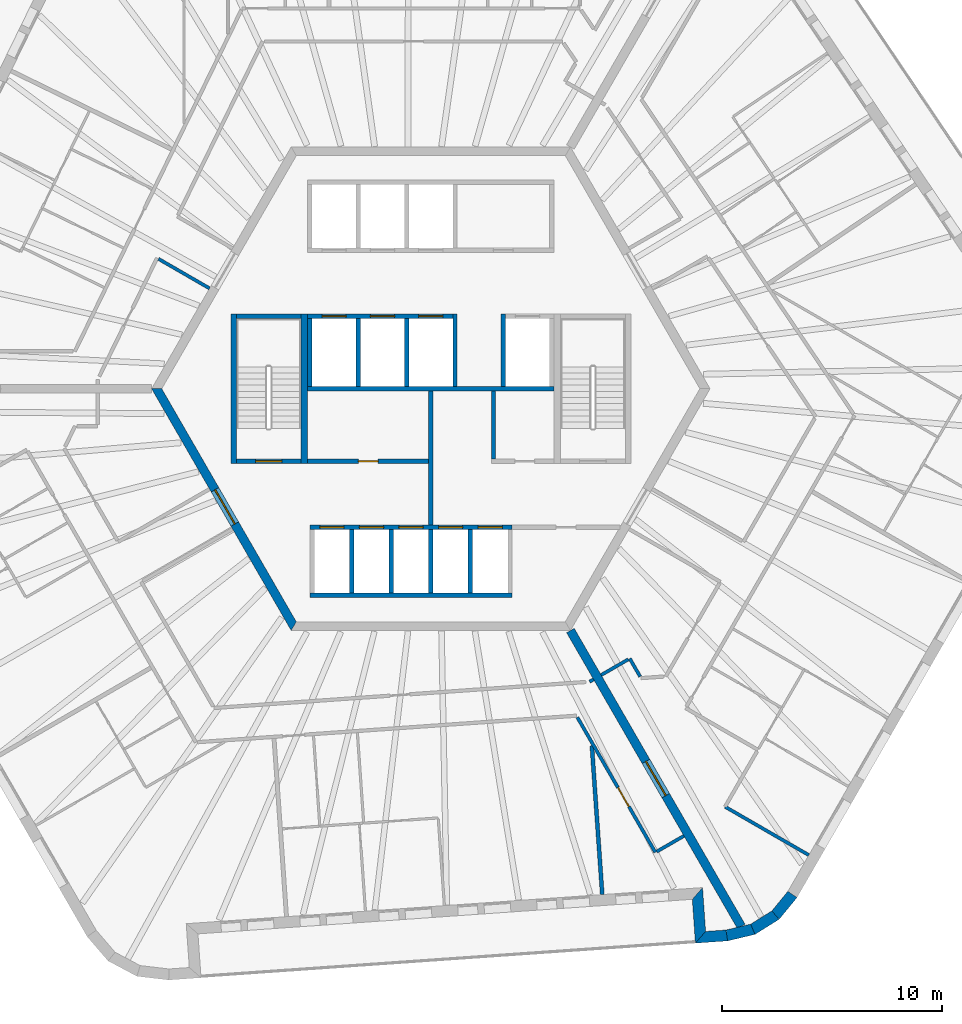
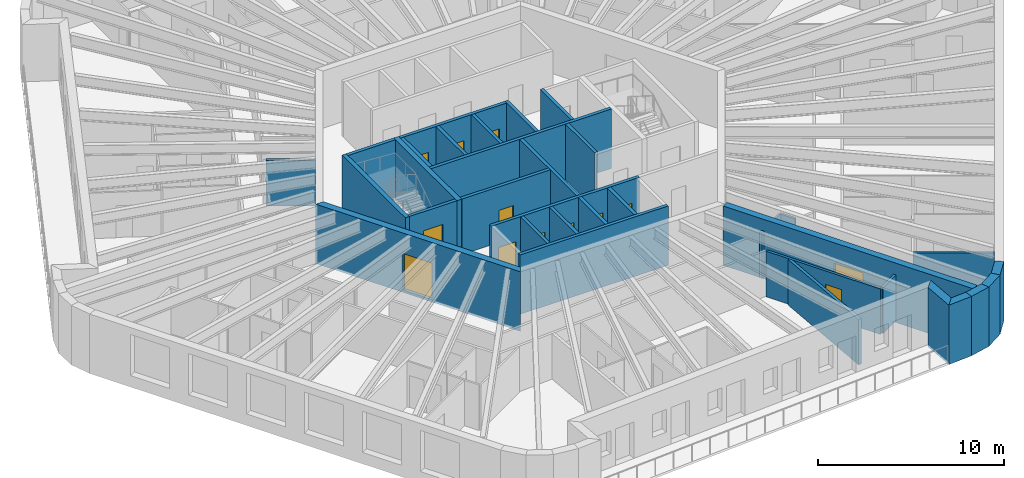
# One storey, part 5 of 12: 35 walls, 13 doors, 13 openings.
"""IFC4 building model written with IfcOpenShell, lengths in metres."""

from ifc_helpers import new_model, si_unit, direction, frame, frame_2d, origin, place, context, subcontext, project, spatial, polyline, rectangle, outline, extrude, material, layer, layer_set, type_object, element, fill, save


model = new_model("IFC4")

# Units and contexts
model_context = context("Model", 3, precision=1e-05, world=origin(), true_north=direction((0.0, 1.0)))
body_context = subcontext(model_context, "Body", "Model", "MODEL_VIEW")
ifc_project = project(units=[si_unit("LENGTHUNIT", "METRE"), si_unit("AREAUNIT", "SQUARE_METRE"), si_unit("VOLUMEUNIT", "CUBIC_METRE"), si_unit("PLANEANGLEUNIT", "RADIAN"), si_unit("MASSUNIT", "GRAM", prefix="KILO")], contexts=[model_context])

# Site, building, storey
site_placement = place(None, origin())
site = spatial("IfcSite", under=ifc_project, at=site_placement, CompositionType="ELEMENT")
building_placement = place(site_placement, origin())
building = spatial("IfcBuilding", under=site, at=building_placement, Name="Tarnside Tower", CompositionType="ELEMENT")
storey_placement = place(building_placement, frame((0.0, 0.0, 287.39990234375)))
storey = spatial("IfcBuildingStorey", under=building, at=storey_placement, Name="L69", CompositionType="ELEMENT", Elevation=287.39990234375)

# Wall, opening, door
ifc_material_1 = material(Name="Concrete C40/50", Category="concrete")
ifc_layer_1 = layer(ifc_material_1, 0.199951171875)
ifc_layer_set_1 = layer_set([ifc_layer_1], Name="Core room partition 200 C40/50")
wall_type_1 = type_object("IfcWallType", Name="Core room partition 200 C40/50", PredefinedType="PARTITIONING", material=ifc_layer_set_1)
wall_1_placement = place(storey_placement, frame((-5.60009765625, -3.300048828125, 0.0), z_axis=(0.0, 0.0, 1.0), x_axis=(1.0, 0.0, 0.0)))
wall_1 = element("IfcWall", 1, at=wall_1_placement, inside=storey, type_object=wall_type_1, Name="L69 core partition W3", PredefinedType="PARTITIONING", context=body_context, shape_type="SweptSolid", body=[
    extrude(rectangle(XDim=5.5, YDim=0.199951171875, at=frame_2d((2.75, 0.0))), origin(), (0.0, 0.0, 1.0), 3.650146484375),
])
opening_1_placement = place(wall_1_placement, frame((2.300048828125, 0.0, 0.0)))
opening_1 = element("IfcOpeningElement", 2, at=opening_1_placement, cuts=wall_1, Name="Opening CD-room", PredefinedType="OPENING", context=body_context, shape_type="SweptSolid", body=[
    extrude(rectangle(XDim=0.89990234375, YDim=2.10009765625, at=frame_2d((0.449951171875, 1.050048828125))), frame((0.0, 0.10986328125, 0.0), z_axis=(0.0, -1.0, 0.0), x_axis=(1.0, 0.0, 0.0)), (0.0, 0.0, 1.0), 0.219970703125),
])
ifc_material_2 = material(Name="Steel fire door", Category="steel")
door_type_1 = type_object("IfcDoorType", Name="Room door FD60 900x2100", OperationType="NOTDEFINED", PredefinedType="DOOR", material=ifc_material_2)
door_1_placement = place(opening_1_placement, origin())
door_1 = element("IfcDoor", 3, at=door_1_placement, inside=storey, type_object=door_type_1, Name="L69 core room door W3D", OperationType="SINGLE_SWING_LEFT", OverallHeight=2.10009765625, OverallWidth=0.89990234375, PredefinedType="DOOR", context=body_context, shape_type="SweptSolid", body=[
    extrude(rectangle(XDim=0.89990234375, YDim=2.10009765625, at=frame_2d((0.449951171875, 1.050048828125))), frame((0.0, 0.02490234375, 0.0), z_axis=(0.0, -1.0, 0.0), x_axis=(1.0, 0.0, 0.0)), (0.0, 0.0, 1.0), 0.050048828125),
])
fill(opening_1, door_1)

# Walls
wall_2_placement = place(storey_placement, frame((2.85009765625, -3.199951171875, 0.0), z_axis=(0.0, 0.0, 1.0), x_axis=(0.0, 1.0, 0.0)))
element("IfcWall", 4, at=wall_2_placement, inside=storey, type_object=wall_type_1, Name="L69 core partition R3P1a", PredefinedType="PARTITIONING", context=body_context, shape_type="SweptSolid", body=[
    extrude(rectangle(XDim=3.099853515625, YDim=0.199951171875, at=frame_2d((1.5498046875, 0.0))), origin(), (0.0, 0.0, 1.0), 3.650146484375),
])
wall_3_placement = place(storey_placement, frame((0.0, -6.199951171875, 0.0), z_axis=(0.0, 0.0, 1.0), x_axis=(0.0, 1.0, 0.0)))
element("IfcWall", 5, at=wall_3_placement, inside=storey, type_object=wall_type_1, Name="L69 core partition X0", PredefinedType="PARTITIONING", context=body_context, shape_type="SweptSolid", body=[
    extrude(rectangle(XDim=6.099853515625, YDim=0.199951171875, at=frame_2d((3.0498046875, 0.0))), origin(), (0.0, 0.0, 1.0), 3.650146484375),
])

# Wall, opening, door
ifc_material_3 = material(Name="Concrete C60/75", Category="concrete")
ifc_layer_2 = layer(ifc_material_3, 0.39990234375)
ifc_layer_set_2 = layer_set([ifc_layer_2], Name="Core wall Z3 400 C60/75")
wall_type_2 = type_object("IfcWallType", Name="Core wall Z3 400 C60/75", PredefinedType="SHEAR", material=ifc_layer_set_2)
wall_4_placement = place(storey_placement, frame((-12.470703125, 0.0, -0.14990234375), z_axis=(0.0, 0.0, 1.0), x_axis=(0.499996419489, -0.866027470984, 0.0)))
wall_4 = element("IfcWall", 6, at=wall_4_placement, inside=storey, type_object=wall_type_2, Name="L69 core wall face 3", PredefinedType="SHEAR", context=body_context, shape_type="SweptSolid", body=[
    extrude(outline(polyline([(-0.115478515625, -0.199951171875), (12.586181640625, -0.199951171875), (12.355224609375, 0.199951171875), (0.115478515625, 0.199951171875), (-0.115478515625, -0.199951171875)])), origin(), (0.0, 0.0, 1.0), 3.89990234375),
])
opening_2_placement = place(wall_4_placement, frame((5.306396484375, 0.0, 0.14990234375)))
opening_2 = element("IfcOpeningElement", 7, at=opening_2_placement, cuts=wall_4, Name="Opening CD-FFL", PredefinedType="OPENING", context=body_context, shape_type="SweptSolid", body=[
    extrude(rectangle(XDim=1.800048828125, YDim=2.39990234375, at=frame_2d((0.89990234375, 1.199951171875))), frame((0.0, 0.2099609375, 0.0), z_axis=(0.0, -1.0, 0.0), x_axis=(1.0, 0.0, 0.0)), (0.0, 0.0, 1.0), 0.419921875),
])
door_type_2 = type_object("IfcDoorType", Name="Firefighting lobby double door FD60S 1800x2400", OperationType="NOTDEFINED", PredefinedType="DOOR", material=ifc_material_2)
door_2_placement = place(opening_2_placement, origin())
door_2 = element("IfcDoor", 8, at=door_2_placement, inside=storey, type_object=door_type_2, Name="L69 core door P3", OperationType="DOUBLE_DOOR_SINGLE_SWING", OverallHeight=2.39990234375, OverallWidth=1.800048828125, PredefinedType="DOOR", context=body_context, shape_type="SweptSolid", body=[
    extrude(rectangle(XDim=1.800048828125, YDim=2.39990234375, at=frame_2d((0.89990234375, 1.199951171875))), frame((0.0, 0.02490234375, 0.0), z_axis=(0.0, -1.0, 0.0), x_axis=(1.0, 0.0, 0.0)), (0.0, 0.0, 1.0), 0.050048828125),
])
fill(opening_2, door_2)

wall_5_placement = place(storey_placement, frame((6.350830078125, -11.0, -0.14990234375), z_axis=(0.0, 0.0, 1.0), x_axis=(0.499998894578, -0.866026041999, 0.0)))
wall_5 = element("IfcWall", 9, at=wall_5_placement, inside=storey, type_object=wall_type_2, Name="L69 spine wall 3", PredefinedType="SHEAR", context=body_context, shape_type="SweptSolid", body=[
    extrude(rectangle(XDim=15.54443359375, YDim=0.39990234375, at=frame_2d((7.772216796875, 0.0))), origin(), (0.0, 0.0, 1.0), 3.89990234375),
])
opening_3_placement = place(wall_5_placement, frame((6.872314453125, 0.0, 0.14990234375)))
opening_3 = element("IfcOpeningElement", 10, at=opening_3_placement, cuts=wall_5, Name="Opening CD-SPN", PredefinedType="OPENING", context=body_context, shape_type="SweptSolid", body=[
    extrude(rectangle(XDim=1.800048828125, YDim=2.39990234375, at=frame_2d((0.89990234375, 1.199951171875))), frame((0.0, 0.2099609375, 0.0), z_axis=(0.0, -1.0, 0.0), x_axis=(1.0, 0.0, 0.0)), (0.0, 0.0, 1.0), 0.419921875),
])
door_type_3 = type_object("IfcDoorType", Name="Spine passage double door FD60 1800x2400", OperationType="NOTDEFINED", PredefinedType="DOOR", material=ifc_material_2)
door_3_placement = place(opening_3_placement, origin())
door_3 = element("IfcDoor", 11, at=door_3_placement, inside=storey, type_object=door_type_3, Name="L69 spine passage door 3", OperationType="DOUBLE_DOOR_SINGLE_SWING", OverallHeight=2.39990234375, OverallWidth=1.800048828125, PredefinedType="DOOR", context=body_context, shape_type="SweptSolid", body=[
    extrude(rectangle(XDim=1.800048828125, YDim=2.39990234375, at=frame_2d((0.89990234375, 1.199951171875))), frame((0.0, 0.02490234375, 0.0), z_axis=(0.0, -1.0, 0.0), x_axis=(1.0, 0.0, 0.0)), (0.0, 0.0, 1.0), 0.050048828125),
])
fill(opening_3, door_3)

# Wall
ifc_material_4 = material(Name="Gypsum board partition on steel studs", Category="steel")
ifc_layer_3 = layer(ifc_material_4, 0.14990234375)
ifc_layer_set_3 = layer_set([ifc_layer_3], Name="Corridor wall 150 EI 60")
wall_type_3 = type_object("IfcWallType", Name="Corridor wall 150 EI 60", PredefinedType="PARTITIONING", material=ifc_layer_set_3)
wall_6_placement = place(storey_placement, frame((-12.389404296875, 5.9072265625, 0.0), z_axis=(0.0, 0.0, 1.0), x_axis=(0.866034066097, -0.499984996134, 0.0)))
element("IfcWall", 12, at=wall_6_placement, inside=storey, type_object=wall_type_3, Name="Corridor wall 22028", PredefinedType="PARTITIONING", context=body_context, shape_type="SweptSolid", body=[
    extrude(rectangle(XDim=2.68310546875, YDim=0.14990234375, at=frame_2d((1.341552734375, 0.0))), origin(), (0.0, 0.0, 1.0), 2.98779296875),
])

# Wall, opening, door
wall_7_placement = place(storey_placement, frame((6.666259765625, -14.9462890625, 0.0), z_axis=(0.0, 0.0, 1.0), x_axis=(0.499979539361, -0.866037216418, 0.0)))
wall_7 = element("IfcWall", 13, at=wall_7_placement, inside=storey, type_object=wall_type_3, Name="Corridor wall 22041", PredefinedType="PARTITIONING", context=body_context, shape_type="SweptSolid", body=[
    extrude(rectangle(XDim=7.096923828125, YDim=0.14990234375, at=frame_2d((3.54833984375, 0.0))), origin(), (0.0, 0.0, 1.0), 2.98779296875),
])
opening_4_placement = place(wall_7_placement, frame((3.696044921875, 0.0, 0.0)))
opening_4 = element("IfcOpeningElement", 14, at=opening_4_placement, cuts=wall_7, Name="Opening D-E1", PredefinedType="OPENING", context=body_context, shape_type="SweptSolid", body=[
    extrude(rectangle(XDim=1.0, YDim=2.10009765625, at=frame_2d((0.5, 1.050048828125))), frame((0.0, 0.0849609375, 0.0), z_axis=(0.0, -1.0, 0.0), x_axis=(1.0, 0.0, 0.0)), (0.0, 0.0, 1.0), 0.169921875),
])
ifc_material_5 = material(Name="Timber door leaf", Category="wood")
door_type_4 = type_object("IfcDoorType", Name="Unit entrance door 1000 FD30S", OperationType="NOTDEFINED", PredefinedType="DOOR", material=ifc_material_5)
door_4_placement = place(opening_4_placement, origin())
door_4 = element("IfcDoor", 15, at=door_4_placement, inside=storey, type_object=door_type_4, Name="Unit door 22054", OperationType="SINGLE_SWING_RIGHT", OverallHeight=2.10009765625, OverallWidth=1.0, PredefinedType="DOOR", context=body_context, shape_type="SweptSolid", body=[
    extrude(rectangle(XDim=1.0, YDim=2.10009765625, at=frame_2d((0.5, 1.050048828125))), frame((0.0, 0.02490234375, 0.0), z_axis=(0.0, -1.0, 0.0), x_axis=(1.0, 0.0, 0.0)), (0.0, 0.0, 1.0), 0.050048828125),
])
fill(opening_4, door_4)

# Walls
wall_8_placement = place(storey_placement, frame((10.27978515625, -21.054931640625, 0.0), z_axis=(0.0, 0.0, 1.0), x_axis=(0.866020080793, 0.500009219579, 0.0)))
element("IfcWall", 16, at=wall_8_placement, inside=storey, type_object=wall_type_3, Name="Corridor wall 22045", PredefinedType="PARTITIONING", context=body_context, shape_type="SweptSolid", body=[
    extrude(rectangle(XDim=1.4248046875, YDim=0.14990234375, at=frame_2d((0.71240234375, 0.0))), origin(), (0.0, 0.0, 1.0), 2.98779296875),
])
wall_9_placement = place(storey_placement, frame((7.40380859375, -13.2236328125, 0.0), z_axis=(0.0, 0.0, 1.0), x_axis=(-0.866088799389, -0.499890179513, 0.0)))
element("IfcWall", 17, at=wall_9_placement, inside=storey, type_object=wall_type_3, Name="Corridor wall 22051", PredefinedType="PARTITIONING", context=body_context, shape_type="SweptSolid", body=[
    extrude(rectangle(XDim=0.2099609375, YDim=0.14990234375, at=frame_2d((0.10498046875, 0.0))), origin(), (0.0, 0.0, 1.0), 2.98779296875),
])
wall_10_placement = place(storey_placement, frame((17.196044921875, -21.215576171875, 0.0), z_axis=(0.0, 0.0, 1.0), x_axis=(-0.866010893236, 0.500025132165, 0.0)))
element("IfcWall", 18, at=wall_10_placement, inside=storey, type_object=wall_type_3, Name="Corridor wall 22060", PredefinedType="PARTITIONING", context=body_context, shape_type="SweptSolid", body=[
    extrude(rectangle(XDim=4.398681640625, YDim=0.14990234375, at=frame_2d((2.19921875, 0.0))), origin(), (0.0, 0.0, 1.0), 2.98779296875),
])
wall_11_placement = place(storey_placement, frame((9.52197265625, -13.0927734375, 0.0), z_axis=(0.0, 0.0, 1.0), x_axis=(-0.499804398801, 0.866138304741, 0.0)))
element("IfcWall", 19, at=wall_11_placement, inside=storey, type_object=wall_type_3, Name="Corridor wall 22079", PredefinedType="PARTITIONING", context=body_context, shape_type="SweptSolid", body=[
    extrude(rectangle(XDim=0.94580078125, YDim=0.14990234375, at=frame_2d((0.472900390625, 0.0))), origin(), (0.0, 0.0, 1.0), 2.98779296875),
])
wall_12_placement = place(storey_placement, frame((8.984130859375, -12.311279296875, 0.0), z_axis=(0.0, 0.0, 1.0), x_axis=(-0.866020080793, -0.500009219579, 0.0)))
element("IfcWall", 20, at=wall_12_placement, inside=storey, type_object=wall_type_3, Name="Corridor wall 22080", PredefinedType="PARTITIONING", context=body_context, shape_type="SweptSolid", body=[
    extrude(rectangle(XDim=1.4248046875, YDim=0.14990234375, at=frame_2d((0.71240234375, 0.0))), origin(), (0.0, 0.0, 1.0), 2.98779296875),
])
ifc_layer_4 = layer(ifc_material_4, 0.179931640625)
ifc_layer_set_4 = layer_set([ifc_layer_4], Name="Demising wall 180 EI 60")
wall_type_4 = type_object("IfcWallType", Name="Demising wall 180 EI 60", PredefinedType="PARTITIONING", material=ifc_layer_set_4)
wall_13_placement = place(storey_placement, frame((7.799560546875, -23.011962890625, 0.0), z_axis=(0.0, 0.0, 1.0), x_axis=(-0.069757205717, 0.997563999075, 0.0)))
element("IfcWall", 21, at=wall_13_placement, inside=storey, type_object=wall_type_4, Name="Demising wall 22140", PredefinedType="PARTITIONING", context=body_context, shape_type="SweptSolid", body=[
    extrude(rectangle(XDim=6.789794921875, YDim=0.179931640625, at=frame_2d((3.39501953125, 0.0))), origin(), (0.0, 0.0, 1.0), 2.98779296875),
])

# Wall, openings, doors
ifc_layer_5 = layer(ifc_material_1, 0.199951171875)
ifc_layer_set_5 = layer_set([ifc_layer_5], Name="Lift shaft wall 200 C40/50")
wall_type_5 = type_object("IfcWallType", Name="Lift shaft wall 200 C40/50", PredefinedType="SHEAR", material=ifc_layer_set_5)
wall_14_placement = place(storey_placement, frame((-5.60009765625, 3.300048828125, -0.25), z_axis=(0.0, 0.0, 1.0), x_axis=(1.0, 0.0, 0.0)))
wall_14 = element("IfcWall", 22, at=wall_14_placement, inside=storey, type_object=wall_type_5, Name="L69 lift shaft front wall R2", PredefinedType="SHEAR", context=body_context, shape_type="SweptSolid", body=[
    extrude(rectangle(XDim=6.60009765625, YDim=0.199951171875, at=frame_2d((3.300048828125, 0.0))), origin(), (0.0, 0.0, 1.0), 3.900146484375),
])
opening_5_placement = place(wall_14_placement, frame((0.64990234375, 0.0, 0.25)))
opening_5 = element("IfcOpeningElement", 23, at=opening_5_placement, cuts=wall_14, Name="Opening LD", PredefinedType="OPENING", context=body_context, shape_type="SweptSolid", body=[
    extrude(rectangle(XDim=1.10009765625, YDim=2.10009765625, at=frame_2d((0.550048828125, 1.050048828125))), frame((0.0, 0.10986328125, 0.0), z_axis=(0.0, -1.0, 0.0), x_axis=(1.0, 0.0, 0.0)), (0.0, 0.0, 1.0), 0.219970703125),
])
opening_6_placement = place(wall_14_placement, frame((2.85009765625, 0.0, 0.25)))
opening_6 = element("IfcOpeningElement", 24, at=opening_6_placement, cuts=wall_14, Name="Opening LD", PredefinedType="OPENING", context=body_context, shape_type="SweptSolid", body=[
    extrude(rectangle(XDim=1.10009765625, YDim=2.10009765625, at=frame_2d((0.550048828125, 1.050048828125))), frame((0.0, 0.10986328125, 0.0), z_axis=(0.0, -1.0, 0.0), x_axis=(1.0, 0.0, 0.0)), (0.0, 0.0, 1.0), 0.219970703125),
])
opening_7_placement = place(wall_14_placement, frame((5.050048828125, 0.0, 0.25)))
opening_7 = element("IfcOpeningElement", 25, at=opening_7_placement, cuts=wall_14, Name="Opening LD", PredefinedType="OPENING", context=body_context, shape_type="SweptSolid", body=[
    extrude(rectangle(XDim=1.10009765625, YDim=2.10009765625, at=frame_2d((0.550048828125, 1.050048828125))), frame((0.0, 0.10986328125, 0.0), z_axis=(0.0, -1.0, 0.0), x_axis=(1.0, 0.0, 0.0)), (0.0, 0.0, 1.0), 0.219970703125),
])
ifc_material_6 = material(Name="Stainless steel", Category="steel")
door_type_5 = type_object("IfcDoorType", Name="Lift landing door 1100x2100", OperationType="NOTDEFINED", PredefinedType="DOOR", material=ifc_material_6)
door_5_placement = place(opening_5_placement, origin())
door_5 = element("IfcDoor", 26, at=door_5_placement, inside=storey, type_object=door_type_5, Name="High-rise lift 4 landing door L69", OperationType="SLIDING_TO_LEFT", OverallHeight=2.10009765625, OverallWidth=1.10009765625, PredefinedType="DOOR", context=body_context, shape_type="SweptSolid", body=[
    extrude(rectangle(XDim=1.10009765625, YDim=2.10009765625, at=frame_2d((0.550048828125, 1.050048828125))), frame((0.0, 0.02490234375, 0.0), z_axis=(0.0, -1.0, 0.0), x_axis=(1.0, 0.0, 0.0)), (0.0, 0.0, 1.0), 0.050048828125),
])
fill(opening_5, door_5)
door_6_placement = place(opening_6_placement, origin())
door_6 = element("IfcDoor", 27, at=door_6_placement, inside=storey, type_object=door_type_5, Name="High-rise lift 5 landing door L69", OperationType="SLIDING_TO_LEFT", OverallHeight=2.10009765625, OverallWidth=1.10009765625, PredefinedType="DOOR", context=body_context, shape_type="SweptSolid", body=[
    extrude(rectangle(XDim=1.10009765625, YDim=2.10009765625, at=frame_2d((0.550048828125, 1.050048828125))), frame((0.0, 0.02490234375, 0.0), z_axis=(0.0, -1.0, 0.0), x_axis=(1.0, 0.0, 0.0)), (0.0, 0.0, 1.0), 0.050048828125),
])
fill(opening_6, door_6)
door_7_placement = place(opening_7_placement, origin())
door_7 = element("IfcDoor", 28, at=door_7_placement, inside=storey, type_object=door_type_5, Name="High-rise lift 6 landing door L69", OperationType="SLIDING_TO_LEFT", OverallHeight=2.10009765625, OverallWidth=1.10009765625, PredefinedType="DOOR", context=body_context, shape_type="SweptSolid", body=[
    extrude(rectangle(XDim=1.10009765625, YDim=2.10009765625, at=frame_2d((0.550048828125, 1.050048828125))), frame((0.0, 0.02490234375, 0.0), z_axis=(0.0, -1.0, 0.0), x_axis=(1.0, 0.0, 0.0)), (0.0, 0.0, 1.0), 0.050048828125),
])
fill(opening_7, door_7)

# Walls
wall_15_placement = place(storey_placement, frame((-5.60009765625, 0.0, -0.25), z_axis=(0.0, 0.0, 1.0), x_axis=(1.0, 0.0, 0.0)))
element("IfcWall", 29, at=wall_15_placement, inside=storey, type_object=wall_type_5, Name="L69 lift shaft back wall R2", PredefinedType="SHEAR", context=body_context, shape_type="SweptSolid", body=[
    extrude(rectangle(XDim=11.2001953125, YDim=0.199951171875, at=frame_2d((5.60009765625, 0.0))), origin(), (0.0, 0.0, 1.0), 3.900146484375),
])
for number, where, z_axis, x_axis, name in (
    (30, (-5.5, 0.10009765625, -0.25), (0.0, 0.0, 1.0), (0.0, 1.0, 0.0), "L69 lift shaft partition R21"),
    (31, (-3.300048828125, 0.10009765625, -0.25), (0.0, 0.0, 1.0), (0.0, 1.0, 0.0), "L69 lift shaft partition R22"),
    (32, (-1.10009765625, 0.10009765625, -0.25), (0.0, 0.0, 1.0), (0.0, 1.0, 0.0), "L69 lift shaft partition R23"),
):
    element("IfcWall", number, at=place(storey_placement, frame(where, z_axis=z_axis, x_axis=x_axis)), inside=storey, type_object=wall_type_5, Name=name, PredefinedType="SHEAR", context=body_context, shape_type="SweptSolid", body=[
        extrude(rectangle(XDim=3.099853515625, YDim=0.199951171875, at=frame_2d((1.5498046875, 0.0))), origin(), (0.0, 0.0, 1.0), 3.900146484375),
    ])
for number, where, z_axis, x_axis, name in (
    (33, (1.10009765625, 0.10009765625, -0.25), (0.0, 0.0, 1.0), (0.0, 1.0, 0.0), "L69 lift shaft partition R24"),
    (34, (3.300048828125, 0.10009765625, -0.25), (0.0, 0.0, 1.0), (0.0, 1.0, 0.0), "L69 lift shaft partition R25"),
):
    element("IfcWall", number, at=place(storey_placement, frame(where, z_axis=z_axis, x_axis=x_axis)), inside=storey, type_object=wall_type_5, Name=name, PredefinedType="SHEAR", context=body_context, shape_type="SweptSolid", body=[
        extrude(rectangle(XDim=3.2998046875, YDim=0.199951171875, at=frame_2d((1.64990234375, 0.0))), origin(), (0.0, 0.0, 1.0), 3.900146484375),
    ])

# Wall, openings, doors
wall_16_placement = place(storey_placement, frame((-5.5, -6.300048828125, -0.25), z_axis=(0.0, 0.0, 1.0), x_axis=(1.0, 0.0, 0.0)))
wall_16 = element("IfcWall", 35, at=wall_16_placement, inside=storey, type_object=wall_type_5, Name="L69 lift shaft front wall R4", PredefinedType="SHEAR", context=body_context, shape_type="SweptSolid", body=[
    extrude(rectangle(XDim=9.199951171875, YDim=0.199951171875, at=frame_2d((4.60009765625, 0.0))), origin(), (0.0, 0.0, 1.0), 3.900146484375),
])
opening_8_placement = place(wall_16_placement, frame((0.449951171875, 0.0, 0.25)))
opening_8 = element("IfcOpeningElement", 36, at=opening_8_placement, cuts=wall_16, Name="Opening LDF", PredefinedType="OPENING", context=body_context, shape_type="SweptSolid", body=[
    extrude(rectangle(XDim=1.10009765625, YDim=2.10009765625, at=frame_2d((0.550048828125, 1.050048828125))), frame((0.0, 0.10986328125, 0.0), z_axis=(0.0, -1.0, 0.0), x_axis=(1.0, 0.0, 0.0)), (0.0, 0.0, 1.0), 0.219970703125),
])
opening_9_placement = place(wall_16_placement, frame((2.25, 0.0, 0.25)))
opening_9 = element("IfcOpeningElement", 37, at=opening_9_placement, cuts=wall_16, Name="Opening LDF", PredefinedType="OPENING", context=body_context, shape_type="SweptSolid", body=[
    extrude(rectangle(XDim=1.10009765625, YDim=2.10009765625, at=frame_2d((0.550048828125, 1.050048828125))), frame((0.0, 0.10986328125, 0.0), z_axis=(0.0, -1.0, 0.0), x_axis=(1.0, 0.0, 0.0)), (0.0, 0.0, 1.0), 0.219970703125),
])
opening_10_placement = place(wall_16_placement, frame((4.050048828125, 0.0, 0.25)))
opening_10 = element("IfcOpeningElement", 38, at=opening_10_placement, cuts=wall_16, Name="Opening LDF", PredefinedType="OPENING", context=body_context, shape_type="SweptSolid", body=[
    extrude(rectangle(XDim=1.10009765625, YDim=2.10009765625, at=frame_2d((0.550048828125, 1.050048828125))), frame((0.0, 0.10986328125, 0.0), z_axis=(0.0, -1.0, 0.0), x_axis=(1.0, 0.0, 0.0)), (0.0, 0.0, 1.0), 0.219970703125),
])
opening_11_placement = place(wall_16_placement, frame((5.85009765625, 0.0, 0.25)))
opening_11 = element("IfcOpeningElement", 39, at=opening_11_placement, cuts=wall_16, Name="Opening LDF", PredefinedType="OPENING", context=body_context, shape_type="SweptSolid", body=[
    extrude(rectangle(XDim=1.10009765625, YDim=2.10009765625, at=frame_2d((0.550048828125, 1.050048828125))), frame((0.0, 0.10986328125, 0.0), z_axis=(0.0, -1.0, 0.0), x_axis=(1.0, 0.0, 0.0)), (0.0, 0.0, 1.0), 0.219970703125),
])
opening_12_placement = place(wall_16_placement, frame((7.64990234375, 0.0, 0.25)))
opening_12 = element("IfcOpeningElement", 40, at=opening_12_placement, cuts=wall_16, Name="Opening LDF", PredefinedType="OPENING", context=body_context, shape_type="SweptSolid", body=[
    extrude(rectangle(XDim=1.10009765625, YDim=2.10009765625, at=frame_2d((0.550048828125, 1.050048828125))), frame((0.0, 0.10986328125, 0.0), z_axis=(0.0, -1.0, 0.0), x_axis=(1.0, 0.0, 0.0)), (0.0, 0.0, 1.0), 0.219970703125),
])
door_type_6 = type_object("IfcDoorType", Name="Lift landing door 1100x2100 EI 120", OperationType="NOTDEFINED", PredefinedType="DOOR", material=ifc_material_6)
door_8_placement = place(opening_8_placement, origin())
door_8 = element("IfcDoor", 41, at=door_8_placement, inside=storey, type_object=door_type_6, Name="Firefighting lift 1 landing door L69", OperationType="SLIDING_TO_LEFT", OverallHeight=2.10009765625, OverallWidth=1.10009765625, PredefinedType="DOOR", context=body_context, shape_type="SweptSolid", body=[
    extrude(rectangle(XDim=1.10009765625, YDim=2.10009765625, at=frame_2d((0.550048828125, 1.050048828125))), frame((0.0, 0.02490234375, 0.0), z_axis=(0.0, -1.0, 0.0), x_axis=(1.0, 0.0, 0.0)), (0.0, 0.0, 1.0), 0.050048828125),
])
fill(opening_8, door_8)
door_9_placement = place(opening_9_placement, origin())
door_9 = element("IfcDoor", 42, at=door_9_placement, inside=storey, type_object=door_type_6, Name="Firefighting lift 2 landing door L69", OperationType="SLIDING_TO_LEFT", OverallHeight=2.10009765625, OverallWidth=1.10009765625, PredefinedType="DOOR", context=body_context, shape_type="SweptSolid", body=[
    extrude(rectangle(XDim=1.10009765625, YDim=2.10009765625, at=frame_2d((0.550048828125, 1.050048828125))), frame((0.0, 0.02490234375, 0.0), z_axis=(0.0, -1.0, 0.0), x_axis=(1.0, 0.0, 0.0)), (0.0, 0.0, 1.0), 0.050048828125),
])
fill(opening_9, door_9)
door_10_placement = place(opening_10_placement, origin())
door_10 = element("IfcDoor", 43, at=door_10_placement, inside=storey, type_object=door_type_6, Name="Firefighting lift 3 landing door L69", OperationType="SLIDING_TO_LEFT", OverallHeight=2.10009765625, OverallWidth=1.10009765625, PredefinedType="DOOR", context=body_context, shape_type="SweptSolid", body=[
    extrude(rectangle(XDim=1.10009765625, YDim=2.10009765625, at=frame_2d((0.550048828125, 1.050048828125))), frame((0.0, 0.02490234375, 0.0), z_axis=(0.0, -1.0, 0.0), x_axis=(1.0, 0.0, 0.0)), (0.0, 0.0, 1.0), 0.050048828125),
])
fill(opening_10, door_10)
door_11_placement = place(opening_11_placement, origin())
door_11 = element("IfcDoor", 44, at=door_11_placement, inside=storey, type_object=door_type_6, Name="Firefighting lift 4 landing door L69", OperationType="SLIDING_TO_LEFT", OverallHeight=2.10009765625, OverallWidth=1.10009765625, PredefinedType="DOOR", context=body_context, shape_type="SweptSolid", body=[
    extrude(rectangle(XDim=1.10009765625, YDim=2.10009765625, at=frame_2d((0.550048828125, 1.050048828125))), frame((0.0, 0.02490234375, 0.0), z_axis=(0.0, -1.0, 0.0), x_axis=(1.0, 0.0, 0.0)), (0.0, 0.0, 1.0), 0.050048828125),
])
fill(opening_11, door_11)
door_12_placement = place(opening_12_placement, origin())
door_12 = element("IfcDoor", 45, at=door_12_placement, inside=storey, type_object=door_type_6, Name="Firefighting lift 5 landing door L69", OperationType="SLIDING_TO_LEFT", OverallHeight=2.10009765625, OverallWidth=1.10009765625, PredefinedType="DOOR", context=body_context, shape_type="SweptSolid", body=[
    extrude(rectangle(XDim=1.10009765625, YDim=2.10009765625, at=frame_2d((0.550048828125, 1.050048828125))), frame((0.0, 0.02490234375, 0.0), z_axis=(0.0, -1.0, 0.0), x_axis=(1.0, 0.0, 0.0)), (0.0, 0.0, 1.0), 0.050048828125),
])
fill(opening_12, door_12)

# Walls
wall_17_placement = place(storey_placement, frame((-5.5, -9.39990234375, -0.25), z_axis=(0.0, 0.0, 1.0), x_axis=(1.0, 0.0, 0.0)))
element("IfcWall", 46, at=wall_17_placement, inside=storey, type_object=wall_type_5, Name="L69 lift shaft back wall R4", PredefinedType="SHEAR", context=body_context, shape_type="SweptSolid", body=[
    extrude(rectangle(XDim=9.199951171875, YDim=0.199951171875, at=frame_2d((4.60009765625, 0.0))), origin(), (0.0, 0.0, 1.0), 3.900146484375),
])
for number, where, z_axis, x_axis, name in (
    (47, (-3.60009765625, -9.300048828125, -0.25), (0.0, 0.0, 1.0), (0.0, 1.0, 0.0), "L69 lift shaft partition R42"),
    (48, (-1.800048828125, -9.300048828125, -0.25), (0.0, 0.0, 1.0), (0.0, 1.0, 0.0), "L69 lift shaft partition R43"),
    (49, (0.0, -9.300048828125, -0.25), (0.0, 0.0, 1.0), (0.0, 1.0, 0.0), "L69 lift shaft partition R44"),
    (50, (1.800048828125, -9.300048828125, -0.25), (0.0, 0.0, 1.0), (0.0, 1.0, 0.0), "L69 lift shaft partition R45"),
):
    element("IfcWall", number, at=place(storey_placement, frame(where, z_axis=z_axis, x_axis=x_axis)), inside=storey, type_object=wall_type_5, Name=name, PredefinedType="SHEAR", context=body_context, shape_type="SweptSolid", body=[
        extrude(rectangle(XDim=2.900146484375, YDim=0.199951171875, at=frame_2d((1.4501953125, 0.0))), origin(), (0.0, 0.0, 1.0), 3.900146484375),
    ])
wall_18_placement = place(storey_placement, frame((-8.85009765625, 3.300048828125, -0.25), z_axis=(0.0, 0.0, 1.0), x_axis=(1.0, 0.0, 0.0)))
element("IfcWall", 51, at=wall_18_placement, inside=storey, type_object=wall_type_5, Name="L69 stair 2 enclosure cap wall n", PredefinedType="SHEAR", context=body_context, shape_type="SweptSolid", body=[
    extrude(rectangle(XDim=2.9501953125, YDim=0.199951171875, at=frame_2d((1.47509765625, 0.0))), origin(), (0.0, 0.0, 1.0), 3.900146484375),
])

# Wall, opening, door
wall_19_placement = place(storey_placement, frame((-8.85009765625, -3.300048828125, -0.25), z_axis=(0.0, 0.0, 1.0), x_axis=(1.0, 0.0, 0.0)))
wall_19 = element("IfcWall", 52, at=wall_19_placement, inside=storey, type_object=wall_type_5, Name="L69 stair 2 enclosure cap wall s", PredefinedType="SHEAR", context=body_context, shape_type="SweptSolid", body=[
    extrude(rectangle(XDim=2.9501953125, YDim=0.199951171875, at=frame_2d((1.47509765625, 0.0))), origin(), (0.0, 0.0, 1.0), 3.900146484375),
])
opening_13_placement = place(wall_19_placement, frame((0.875, 0.0, 0.25)))
opening_13 = element("IfcOpeningElement", 53, at=opening_13_placement, cuts=wall_19, Name="Opening CD-STR", PredefinedType="OPENING", context=body_context, shape_type="SweptSolid", body=[
    extrude(rectangle(XDim=1.199951171875, YDim=2.39990234375, at=frame_2d((0.60009765625, 1.199951171875))), frame((0.0, 0.10986328125, 0.0), z_axis=(0.0, -1.0, 0.0), x_axis=(1.0, 0.0, 0.0)), (0.0, 0.0, 1.0), 0.219970703125),
])
door_type_7 = type_object("IfcDoorType", Name="Stair door FD60S 1200x2400", OperationType="NOTDEFINED", PredefinedType="DOOR", material=ifc_material_2)
door_13_placement = place(opening_13_placement, origin())
door_13 = element("IfcDoor", 54, at=door_13_placement, inside=storey, type_object=door_type_7, Name="L69 stair 2 door", OperationType="SINGLE_SWING_LEFT", OverallHeight=2.39990234375, OverallWidth=1.199951171875, PredefinedType="DOOR", context=body_context, shape_type="SweptSolid", body=[
    extrude(rectangle(XDim=1.199951171875, YDim=2.39990234375, at=frame_2d((0.60009765625, 1.199951171875))), frame((0.0, 0.02490234375, 0.0), z_axis=(0.0, -1.0, 0.0), x_axis=(1.0, 0.0, 0.0)), (0.0, 0.0, 1.0), 0.050048828125),
])
fill(opening_13, door_13)

# Walls
ifc_material_7 = material(Name="Dark zinc cladding")
ifc_layer_6 = layer(ifc_material_7, 0.10205078125)
ifc_material_8 = material(Name="Concrete C60/75 precast", Category="concrete")
ifc_layer_7 = layer(ifc_material_8, 0.298095703125)
ifc_material_9 = material(Name="Mineral wool insulation")
ifc_layer_8 = layer(ifc_material_9, 0.10009765625)
ifc_layer_set_6 = layer_set([ifc_layer_6, ifc_layer_7, ifc_layer_8], Name="Loggia wall 500 zinc faced")
wall_type_6 = type_object("IfcWallType", Name="Loggia wall 500 zinc faced", PredefinedType="SOLIDWALL", material=ifc_layer_set_6)
wall_20_placement = place(storey_placement, frame((12.128662109375, -22.9599609375, -0.14990234375), z_axis=(0.0, 0.0, 1.0), x_axis=(0.069824268692, -0.99755930726, 0.0)))
element("IfcWall", 55, at=wall_20_placement, inside=storey, type_object=wall_type_6, Name="Tube wall L69 F4 return 19", PredefinedType="SOLIDWALL", context=body_context, shape_type="SweptSolid", body=[
    extrude(outline(polyline([(0.25, -0.25), (2.25, -0.25), (1.75, 0.25), (-0.25, 0.25), (0.25, -0.25)])), origin(), (0.0, 0.0, 1.0), 3.89990234375),
])
wall_21_placement = place(storey_placement, frame((12.268310546875, -24.955078125, -0.14990234375), z_axis=(0.0, 0.0, 1.0), x_axis=(0.997561942506, 0.06978660948, 0.0)))
element("IfcWall", 56, at=wall_21_placement, inside=storey, type_object=wall_type_6, Name="Tube wall L69 F4 stub 20", PredefinedType="SOLIDWALL", context=body_context, shape_type="SweptSolid", body=[
    extrude(outline(polyline([(-0.25, -0.25), (1.220458984375, -0.25), (1.179443359375, 0.25), (0.25, 0.25), (-0.25, -0.25)])), origin(), (0.0, 0.0, 1.0), 3.89990234375),
])
ifc_layer_9 = layer(ifc_material_1, 0.25)
ifc_layer_set_7 = layer_set([ifc_layer_9], Name="Stair enclosure wall 250 C40/50")
wall_type_7 = type_object("IfcWallType", Name="Stair enclosure wall 250 C40/50", PredefinedType="SHEAR", material=ifc_layer_set_7)
wall_22_placement = place(storey_placement, frame((-8.97509765625, -3.39990234375, -0.25), z_axis=(0.0, 0.0, 1.0), x_axis=(0.0, 1.0, 0.0)))
element("IfcWall", 57, at=wall_22_placement, inside=storey, type_object=wall_type_7, Name="L69 stair 2 enclosure wall outer", PredefinedType="SHEAR", context=body_context, shape_type="SweptSolid", body=[
    extrude(rectangle(XDim=6.7998046875, YDim=0.25, at=frame_2d((3.39990234375, 0.0))), origin(), (0.0, 0.0, 1.0), 3.900146484375),
])
ifc_layer_10 = layer(ifc_material_1, 0.300048828125)
ifc_layer_set_8 = layer_set([ifc_layer_10], Name="Stair enclosure wall 300 C40/50")
wall_type_8 = type_object("IfcWallType", Name="Stair enclosure wall 300 C40/50", PredefinedType="SHEAR", material=ifc_layer_set_8)
wall_23_placement = place(storey_placement, frame((-5.75, -3.39990234375, -0.25), z_axis=(0.0, 0.0, 1.0), x_axis=(0.0, 1.0, 0.0)))
element("IfcWall", 58, at=wall_23_placement, inside=storey, type_object=wall_type_8, Name="L69 stair 2 enclosure wall inner", PredefinedType="SHEAR", context=body_context, shape_type="SweptSolid", body=[
    extrude(rectangle(XDim=6.7998046875, YDim=0.300048828125, at=frame_2d((3.39990234375, 0.0))), origin(), (0.0, 0.0, 1.0), 3.900146484375),
])
ifc_material_10 = material(Name="Facing brick", Category="masonry")
ifc_layer_11 = layer(ifc_material_10, 0.10205078125)
ifc_layer_12 = layer(ifc_material_8, 0.298095703125)
ifc_layer_13 = layer(ifc_material_9, 0.10009765625)
ifc_layer_set_9 = layer_set([ifc_layer_11, ifc_layer_12, ifc_layer_13], Name="Tube wall 500 brick faced")
wall_type_9 = type_object("IfcWallType", Name="Tube wall 500 brick faced", PredefinedType="SOLIDWALL", material=ifc_layer_set_9)
wall_24_placement = place(storey_placement, frame((13.46533203125, -24.871337890625, -0.14990234375), z_axis=(0.0, 0.0, 1.0), x_axis=(0.973044740285, 0.230616420501, 0.0)))
element("IfcWall", 59, at=wall_24_placement, inside=storey, type_object=wall_type_9, Name="Tube wall L69 F4 chord 21", PredefinedType="SOLIDWALL", context=body_context, shape_type="SweptSolid", body=[
    extrude(outline(polyline([(-0.0205078125, -0.25), (1.25732421875, -0.25), (1.17529296875, 0.25), (0.0205078125, 0.25), (-0.0205078125, -0.25)])), origin(), (0.0, 0.0, 1.0), 3.89990234375),
])
wall_25_placement = place(storey_placement, frame((14.64892578125, -24.5908203125, -0.14990234375), z_axis=(0.0, 0.0, 1.0), x_axis=(0.848054682072, 0.529908724419, 0.0)))
element("IfcWall", 60, at=wall_25_placement, inside=storey, type_object=wall_type_9, Name="Tube wall L69 F4 chord 22", PredefinedType="SOLIDWALL", context=body_context, shape_type="SweptSolid", body=[
    extrude(outline(polyline([(-0.041015625, -0.25), (1.25732421875, -0.25), (1.17529296875, 0.25), (0.041015625, 0.25), (-0.041015625, -0.25)])), origin(), (0.0, 0.0, 1.0), 3.89990234375),
])
wall_26_placement = place(storey_placement, frame((15.680419921875, -23.9462890625, -0.14990234375), z_axis=(0.0, 0.0, 1.0), x_axis=(0.633805934167, 0.773492105852, 0.0)))
element("IfcWall", 61, at=wall_26_placement, inside=storey, type_object=wall_type_9, Name="Tube wall L69 F4 chord 23", PredefinedType="SOLIDWALL", context=body_context, shape_type="SweptSolid", body=[
    extrude(outline(polyline([(-0.041015625, -0.25), (1.237060546875, -0.25), (1.196044921875, 0.25), (0.041015625, 0.25), (-0.041015625, -0.25)])), origin(), (0.0, 0.0, 1.0), 3.89990234375),
])

save(model, "model.ifc")
